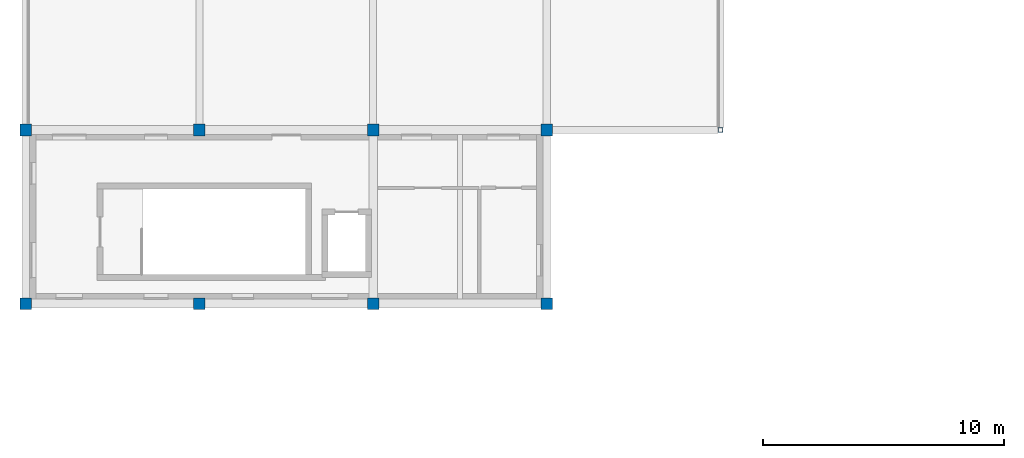
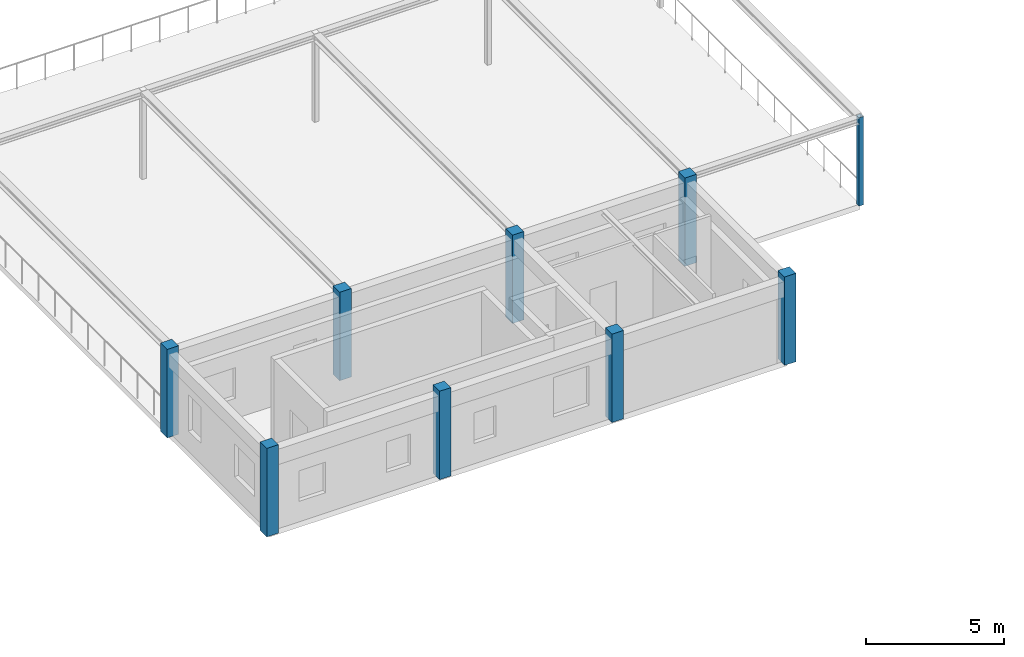
# One storey, part 1 of 20: 9 columns.
"""IFC4 building model written with IfcOpenShell, lengths in metres."""

from ifc_helpers import new_model, si_unit, direction, frame, origin, origin_2d, place, context, subcontext, project, spatial, rectangle, hollow_rectangle, extrude, material, material_profile, profile_set, type_object, element, save


model = new_model("IFC4")

# Units and contexts
model_context = context("Model", 3, precision=1e-05, world=origin(), true_north=direction((0.0, 1.0)))
body_context = subcontext(model_context, "Body", "Model", "MODEL_VIEW")
ifc_project = project(units=[si_unit("LENGTHUNIT", "METRE"), si_unit("AREAUNIT", "SQUARE_METRE"), si_unit("VOLUMEUNIT", "CUBIC_METRE"), si_unit("PLANEANGLEUNIT", "RADIAN"), si_unit("MASSUNIT", "GRAM", prefix="KILO")], contexts=[model_context])

# Site, building, storey
site_placement = place(None, origin())
site = spatial("IfcSite", under=ifc_project, at=site_placement, CompositionType="ELEMENT")
building_placement = place(site_placement, origin())
building = spatial("IfcBuilding", under=site, at=building_placement, Name="Bramveld Media Centre", CompositionType="ELEMENT")
storey_placement = place(building_placement, frame((0.0, 0.0, 18.0)))
storey = spatial("IfcBuildingStorey", under=building, at=storey_placement, Name="L04", CompositionType="ELEMENT", Elevation=18.0)

# Columns
ifc_material_1 = material(Name="Concrete C40/50", Category="concrete")
ifc_material_profile_1 = material_profile(ifc_material_1, rectangle(XDim=0.47998046875, YDim=0.47998046875, at=origin_2d()), Name="RC 480x480")
ifc_profile_set_1 = profile_set([ifc_material_profile_1], Name="Concrete C40/50")
column_type_1 = type_object("IfcColumnType", Name="COL-EXT-RC-480x480", PredefinedType="COLUMN", material=ifc_profile_set_1)
for number, where, z_axis, x_axis, name in (
    (1, (0.0, 39.199951171875, 0.0), (0.0, 0.0, 1.0), (1.0, 0.0, 0.0), "V3 L04 column RC 480x480"),
    (2, (0.0, 46.39990234375, 0.0), (0.0, 0.0, 1.0), (1.0, 0.0, 0.0), "V3 L04 column RC 480x480"),
    (3, (7.199951171875, 39.199951171875, 0.0), (0.0, 0.0, 1.0), (1.0, 0.0, 0.0), "V3 L04 column RC 480x480"),
    (4, (7.199951171875, 46.39990234375, 0.0), (0.0, 0.0, 1.0), (1.0, 0.0, 0.0), "V3 L04 column RC 480x480"),
    (5, (14.39990234375, 39.199951171875, 0.0), (0.0, 0.0, 1.0), (1.0, 0.0, 0.0), "V3 L04 column RC 480x480"),
    (6, (14.39990234375, 46.39990234375, 0.0), (0.0, 0.0, 1.0), (1.0, 0.0, 0.0), "V3 L04 column RC 480x480"),
    (7, (21.60009765625, 39.199951171875, 0.0), (0.0, 0.0, 1.0), (1.0, 0.0, 0.0), "V3 L04 column RC 480x480"),
    (8, (21.60009765625, 46.39990234375, 0.0), (0.0, 0.0, 1.0), (1.0, 0.0, 0.0), "V3 L04 column RC 480x480"),
):
    element("IfcColumn", number, at=place(storey_placement, frame(where, z_axis=z_axis, x_axis=x_axis)), inside=storey, type_object=column_type_1, Name=name, PredefinedType="COLUMN", context=body_context, shape_type="SweptSolid", body=[
        extrude(rectangle(XDim=0.47998046875, YDim=0.47998046875, at=origin_2d()), origin(), (0.0, 0.0, 1.0), 3.89990234375),
    ])
ifc_material_2 = material(Name="Steel S355J2", Category="steel")
ifc_material_profile_2 = material_profile(ifc_material_2, hollow_rectangle(XDim=0.199951171875, YDim=0.199951171875, WallThickness=0.012451171875, InnerFilletRadius=0.012451171875, OuterFilletRadius=0.02490234375, at=origin_2d()), Name="SHS 200x200x12.5")
ifc_profile_set_2 = profile_set([ifc_material_profile_2], Name="Steel S355J2")
column_type_2 = type_object("IfcColumnType", Name="SCOL-EXT-SHS-200x200x12.5", PredefinedType="COLUMN", material=ifc_profile_set_2)
column_placement = place(storey_placement, frame((28.800048828125, 46.39990234375, 0.0), z_axis=(0.0, 0.0, 1.0), x_axis=(1.0, 0.0, 0.0)))
element("IfcColumn", 9, at=column_placement, inside=storey, type_object=column_type_2, Name="Rooftop Screen Terrace ramada canopy column 28.8,46.4", PredefinedType="COLUMN", context=body_context, shape_type="SweptSolid", body=[
    extrude(hollow_rectangle(XDim=0.199951171875, YDim=0.199951171875, WallThickness=0.012451171875, InnerFilletRadius=0.012451171875, OuterFilletRadius=0.02490234375, at=origin_2d()), origin(), (0.0, 0.0, 1.0), 3.89990234375),
])

save(model, "model.ifc")
